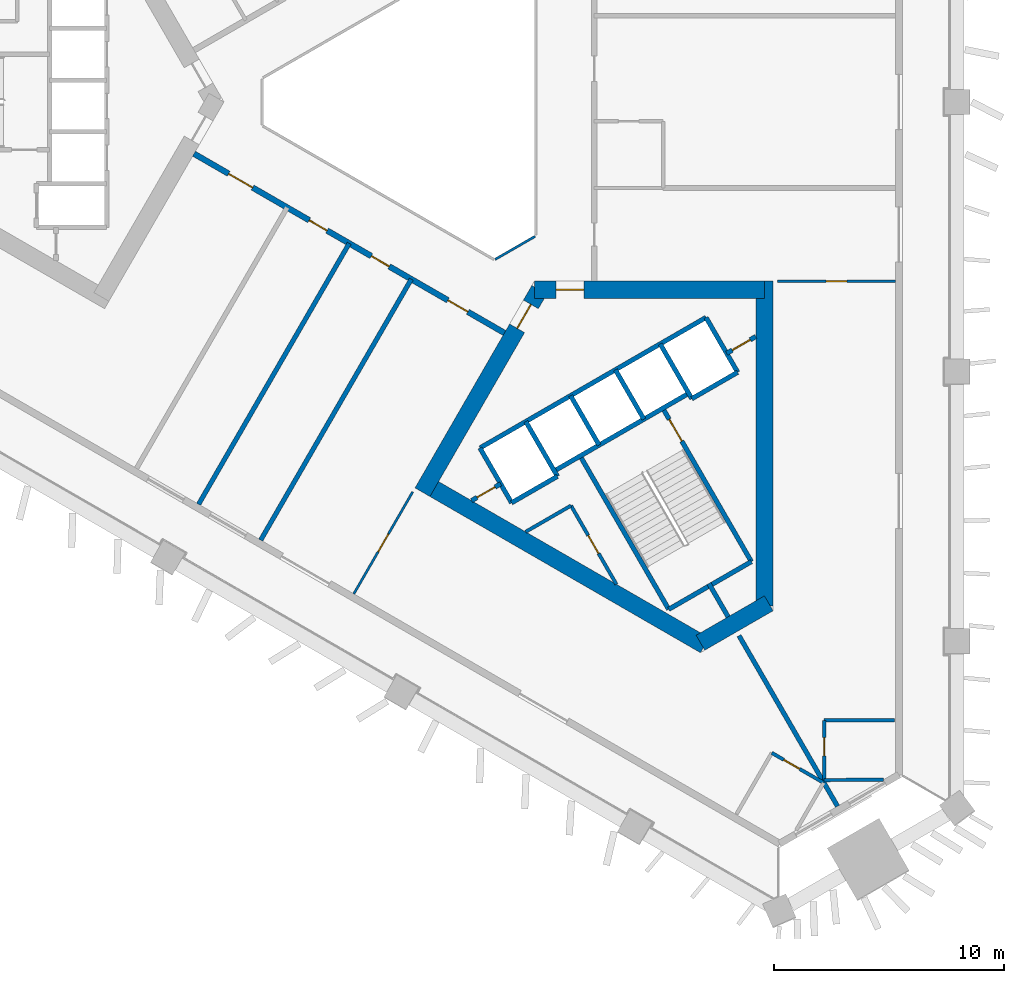
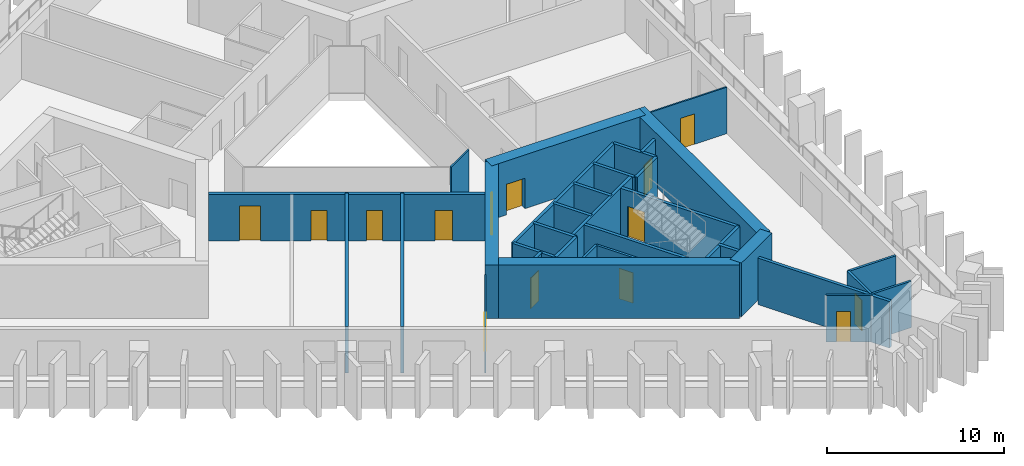
# One storey, part 3 of 10: 34 walls, 14 doors, 14 openings.
"""IFC4 building model written with IfcOpenShell, lengths in metres."""

from ifc_helpers import new_model, si_unit, direction, frame, frame_2d, origin, place, context, subcontext, project, spatial, rectangle, extrude, material, layer, layer_set, type_object, element, fill, save


model = new_model("IFC4")

# Units and contexts
model_context = context("Model", 3, precision=1e-05, world=origin(), true_north=direction((0.0, 1.0)))
body_context = subcontext(model_context, "Body", "Model", "MODEL_VIEW")
ifc_project = project(units=[si_unit("LENGTHUNIT", "METRE"), si_unit("AREAUNIT", "SQUARE_METRE"), si_unit("VOLUMEUNIT", "CUBIC_METRE"), si_unit("PLANEANGLEUNIT", "RADIAN"), si_unit("MASSUNIT", "GRAM", prefix="KILO")], contexts=[model_context])

# Site, building, storey
site_placement = place(None, origin())
site = spatial("IfcSite", under=ifc_project, at=site_placement, CompositionType="ELEMENT")
building_placement = place(site_placement, origin())
building = spatial("IfcBuilding", under=site, at=building_placement, Name="Jabali Bay Hotel Tower and Convention Centre", CompositionType="ELEMENT")
storey_placement = place(building_placement, frame((0.0, 0.0, 86.89990234375)))
storey = spatial("IfcBuildingStorey", under=building, at=storey_placement, Name="L20", CompositionType="ELEMENT", Elevation=86.89990234375)

# Walls
ifc_material_1 = material(Name="Fire-resistant glazing", Category="glass")
ifc_layer_1 = layer(ifc_material_1, 0.10009765625)
ifc_layer_set_1 = layer_set([ifc_layer_1], Name="Fire-resistant glazing")
wall_type_1 = type_object("IfcWallType", Name="Atrium glazed screen 100", PredefinedType="PARTITIONING", material=ifc_layer_set_1)
wall_1_placement = place(storey_placement, frame((77.7978515625, 73.15380859375, 0.0), z_axis=(0.0, 0.0, 1.0), x_axis=(0.866041268327, 0.499972520799, 0.0)))
element("IfcWall", 1, at=wall_1_placement, inside=storey, type_object=wall_type_1, Name="Atrium screen 6 L20", PredefinedType="PARTITIONING", context=body_context, shape_type="SweptSolid", body=[
    extrude(rectangle(XDim=2.0, YDim=0.10009765625, at=frame_2d((1.0, 0.0))), origin(), (0.0, 0.0, 1.0), 3.2001953125),
])
ifc_material_2 = material(Name="Concrete C40", Category="concrete")
ifc_layer_2 = layer(ifc_material_2, 0.199951171875)
ifc_layer_set_2 = layer_set([ifc_layer_2], Name="Concrete C40")
wall_type_2 = type_object("IfcWallType", Name="Core partition wall 200", PredefinedType="PARTITIONING", material=ifc_layer_set_2)
wall_2_placement = place(storey_placement, frame((87.090087890625, 59.0595703125, 0.0), z_axis=(0.0, 0.0, 1.0), x_axis=(0.499937194881, -0.866061661301, 0.0)))
element("IfcWall", 2, at=wall_2_placement, inside=storey, type_object=wall_type_2, Name="Core wall 2.5 L20", PredefinedType="PARTITIONING", context=body_context, shape_type="SweptSolid", body=[
    extrude(rectangle(XDim=1.673095703125, YDim=0.199951171875, at=frame_2d((0.83642578125, 0.0))), origin(), (0.0, 0.0, 1.0), 3.2001953125),
])

# Wall, opening, door
wall_3_placement = place(storey_placement, frame((76.77001953125, 62.662109375, 0.0), z_axis=(0.0, 0.0, 1.0), x_axis=(0.866054810376, 0.49994906283, 0.0)))
wall_3 = element("IfcWall", 3, at=wall_3_placement, inside=storey, type_object=wall_type_2, Name="Core wall 2.11 L20", PredefinedType="PARTITIONING", context=body_context, shape_type="SweptSolid", body=[
    extrude(rectangle(XDim=1.461181640625, YDim=0.199951171875, at=frame_2d((0.73046875, 0.0))), origin(), (0.0, 0.0, 1.0), 3.2001953125),
])
opening_1_placement = place(wall_3_placement, frame((0.280517578125, 0.0, 0.0)))
opening_1 = element("IfcOpeningElement", 4, at=opening_1_placement, cuts=wall_3, Name="Opening D489", PredefinedType="OPENING", context=body_context, shape_type="SweptSolid", body=[
    extrude(rectangle(XDim=0.89990234375, YDim=2.10009765625, at=frame_2d((0.449951171875, 1.050048828125))), frame((0.0, 0.1103515625, 0.0), z_axis=(0.0, -1.0, 0.0), x_axis=(1.0, 0.0, 0.0)), (0.0, 0.0, 1.0), 0.220947265625),
])
ifc_material_3 = material(Name="Fire-rated steel door", Category="steel")
door_type_1 = type_object("IfcDoorType", Name="Vestibule fire door 900 x 2100", OperationType="NOTDEFINED", PredefinedType="NOTDEFINED", material=ifc_material_3)
door_1_placement = place(opening_1_placement, origin())
door_1 = element("IfcDoor", 5, at=door_1_placement, inside=storey, type_object=door_type_1, Name="Vestibule fire door D489", OperationType="SINGLE_SWING_LEFT", OverallHeight=2.10009765625, OverallWidth=0.89990234375, PredefinedType="NOTDEFINED", context=body_context, shape_type="SweptSolid", body=[
    extrude(rectangle(XDim=0.89990234375, YDim=2.10009765625, at=frame_2d((0.449951171875, 1.050048828125))), frame((0.0, 0.02490234375, 0.0), z_axis=(0.0, -1.0, 0.0), x_axis=(1.0, 0.0, 0.0)), (0.0, 0.0, 1.0), 0.050048828125),
])
fill(opening_1, door_1)

wall_4_placement = place(storey_placement, frame((87.86474609375, 69.067626953125, 0.0), z_axis=(0.0, 0.0, 1.0), x_axis=(0.865982457891, 0.500074377092, 0.0)))
wall_4 = element("IfcWall", 6, at=wall_4_placement, inside=storey, type_object=wall_type_2, Name="Core wall 2.12 L20", PredefinedType="PARTITIONING", context=body_context, shape_type="SweptSolid", body=[
    extrude(rectangle(XDim=1.461181640625, YDim=0.199951171875, at=frame_2d((0.73046875, 0.0))), origin(), (0.0, 0.0, 1.0), 3.2001953125),
])
opening_2_placement = place(wall_4_placement, frame((0.280517578125, 0.0, 0.0)))
opening_2 = element("IfcOpeningElement", 7, at=opening_2_placement, cuts=wall_4, Name="Opening D488", PredefinedType="OPENING", context=body_context, shape_type="SweptSolid", body=[
    extrude(rectangle(XDim=0.89990234375, YDim=2.10009765625, at=frame_2d((0.449951171875, 1.050048828125))), frame((0.0, 0.1103515625, 0.0), z_axis=(0.0, -1.0, 0.0), x_axis=(1.0, 0.0, 0.0)), (0.0, 0.0, 1.0), 0.220947265625),
])
door_2_placement = place(opening_2_placement, origin())
door_2 = element("IfcDoor", 8, at=door_2_placement, inside=storey, type_object=door_type_1, Name="Vestibule fire door D488", OperationType="SINGLE_SWING_LEFT", OverallHeight=2.10009765625, OverallWidth=0.89990234375, PredefinedType="NOTDEFINED", context=body_context, shape_type="SweptSolid", body=[
    extrude(rectangle(XDim=0.89990234375, YDim=2.10009765625, at=frame_2d((0.449951171875, 1.050048828125))), frame((0.0, 0.02490234375, 0.0), z_axis=(0.0, -1.0, 0.0), x_axis=(1.0, 0.0, 0.0)), (0.0, 0.0, 1.0), 0.050048828125),
])
fill(opening_2, door_2)

ifc_material_4 = material(Name="Fire-rated board partition")
ifc_layer_3 = layer(ifc_material_4, 0.14990234375)
ifc_layer_set_3 = layer_set([ifc_layer_3], Name="Fire-rated board partition")
wall_type_3 = type_object("IfcWallType", Name="Core room partition 150", PredefinedType="PARTITIONING", material=ifc_layer_set_3)
wall_5_placement = place(storey_placement, frame((81.093994140625, 62.445068359375, 0.0), z_axis=(0.0, 0.0, 1.0), x_axis=(0.499990112884, -0.866031112038, 0.0)))
wall_5 = element("IfcWall", 9, at=wall_5_placement, inside=storey, type_object=wall_type_3, Name="Core wall 2.1 L20", PredefinedType="PARTITIONING", context=body_context, shape_type="SweptSolid", body=[
    extrude(rectangle(XDim=3.94775390625, YDim=0.14990234375, at=frame_2d((1.973876953125, 0.0))), origin(), (0.0, 0.0, 1.0), 3.2001953125),
])
opening_3_placement = place(wall_5_placement, frame((1.496337890625, 0.0, 0.0)))
opening_3 = element("IfcOpeningElement", 10, at=opening_3_placement, cuts=wall_5, Name="Opening D491", PredefinedType="OPENING", context=body_context, shape_type="SweptSolid", body=[
    extrude(rectangle(XDim=0.89990234375, YDim=2.10009765625, at=frame_2d((0.449951171875, 1.050048828125))), frame((0.0, 0.08544921875, 0.0), z_axis=(0.0, -1.0, 0.0), x_axis=(1.0, 0.0, 0.0)), (0.0, 0.0, 1.0), 0.1708984375),
])
door_type_2 = type_object("IfcDoorType", Name="Core room door 900 x 2100", OperationType="NOTDEFINED", PredefinedType="NOTDEFINED", material=ifc_material_3)
door_3_placement = place(opening_3_placement, origin())
door_3 = element("IfcDoor", 11, at=door_3_placement, inside=storey, type_object=door_type_2, Name="Core room door D491", OperationType="SINGLE_SWING_LEFT", OverallHeight=2.10009765625, OverallWidth=0.89990234375, PredefinedType="NOTDEFINED", context=body_context, shape_type="SweptSolid", body=[
    extrude(rectangle(XDim=0.89990234375, YDim=2.10009765625, at=frame_2d((0.449951171875, 1.050048828125))), frame((0.0, 0.02490234375, 0.0), z_axis=(0.0, -1.0, 0.0), x_axis=(1.0, 0.0, 0.0)), (0.0, 0.0, 1.0), 0.050048828125),
])
fill(opening_3, door_3)

# Walls
wall_6_placement = place(storey_placement, frame((79.119873046875, 61.305419921875, 0.0), z_axis=(0.0, 0.0, 1.0), x_axis=(0.866046471269, 0.499963508271, 0.0)))
element("IfcWall", 12, at=wall_6_placement, inside=storey, type_object=wall_type_3, Name="Core wall 2.16 L20", PredefinedType="PARTITIONING", context=body_context, shape_type="SweptSolid", body=[
    extrude(rectangle(XDim=2.279541015625, YDim=0.14990234375, at=frame_2d((1.1396484375, 0.0))), origin(), (0.0, 0.0, 1.0), 3.2001953125),
])
ifc_layer_4 = layer(ifc_material_2, 0.199951171875)
ifc_layer_set_4 = layer_set([ifc_layer_4], Name="Concrete C40")
wall_type_4 = type_object("IfcWallType", Name="Core stair wall 200", PredefinedType="SOLIDWALL", material=ifc_layer_set_4)
for number, where, z_axis, x_axis, name in (
    (13, (77.13525390625, 64.95166015625, 0.0), (0.0, 0.0, 1.0), (0.499996545922, -0.866027397988, 0.0), "Core wall 2.0 L20"),
    (14, (79.127197265625, 66.1015625, 0.0), (0.0, 0.0, 1.0), (0.499996545922, -0.866027397988, 0.0), "Core wall 2.2 L20"),
):
    element("IfcWall", number, at=place(storey_placement, frame(where, z_axis=z_axis, x_axis=x_axis)), inside=storey, type_object=wall_type_4, Name=name, PredefinedType="SOLIDWALL", context=body_context, shape_type="SweptSolid", body=[
        extrude(rectangle(XDim=2.75, YDim=0.199951171875, at=frame_2d((1.375, 0.0))), origin(), (0.0, 0.0, 1.0), 3.2001953125),
    ])
wall_7_placement = place(storey_placement, frame((81.492919921875, 64.603759765625, 0.0), z_axis=(0.0, 0.0, 1.0), x_axis=(0.500006057782, -0.866021906294, 0.0)))
element("IfcWall", 15, at=wall_7_placement, inside=storey, type_object=wall_type_4, Name="Core wall 2.3 L20", PredefinedType="SOLIDWALL", context=body_context, shape_type="SweptSolid", body=[
    extrude(rectangle(XDim=7.7001953125, YDim=0.199951171875, at=frame_2d((3.85009765625, 0.0))), origin(), (0.0, 0.0, 1.0), 3.2001953125),
])
for number, where, z_axis, x_axis, name in (
    (16, (81.07568359375, 67.2265625, 0.0), (0.0, 0.0, 1.0), (0.50000366821, -0.866023285932, 0.0), "Core wall 2.4 L20"),
    (17, (83.024169921875, 68.3515625, 0.0), (0.0, 0.0, 1.0), (0.50000366821, -0.866023285932, 0.0), "Core wall 2.6 L20"),
):
    element("IfcWall", number, at=place(storey_placement, frame(where, z_axis=z_axis, x_axis=x_axis)), inside=storey, type_object=wall_type_4, Name=name, PredefinedType="SOLIDWALL", context=body_context, shape_type="SweptSolid", body=[
        extrude(rectangle(XDim=2.47998046875, YDim=0.199951171875, at=frame_2d((1.239990234375, 0.0))), origin(), (0.0, 0.0, 1.0), 3.2001953125),
    ])

# Wall, opening, door
wall_8_placement = place(storey_placement, frame((85.0869140625, 66.6787109375, 0.0), z_axis=(0.0, 0.0, 1.0), x_axis=(0.500019787375, -0.866013979237, 0.0)))
wall_8 = element("IfcWall", 18, at=wall_8_placement, inside=storey, type_object=wall_type_4, Name="Core wall 2.7 L20", PredefinedType="SOLIDWALL", context=body_context, shape_type="SweptSolid", body=[
    extrude(rectangle(XDim=7.699951171875, YDim=0.199951171875, at=frame_2d((3.85009765625, 0.0))), origin(), (0.0, 0.0, 1.0), 3.2001953125),
])
opening_4_placement = place(wall_8_placement, frame((0.550048828125, 0.0, 0.0)))
opening_4 = element("IfcOpeningElement", 19, at=opening_4_placement, cuts=wall_8, Name="Opening D490", PredefinedType="OPENING", context=body_context, shape_type="SweptSolid", body=[
    extrude(rectangle(XDim=1.10009765625, YDim=2.10009765625, at=frame_2d((0.550048828125, 1.050048828125))), frame((0.0, 0.1103515625, 0.0), z_axis=(0.0, -1.0, 0.0), x_axis=(1.0, 0.0, 0.0)), (0.0, 0.0, 1.0), 0.220947265625),
])
door_type_3 = type_object("IfcDoorType", Name="Stair fire door 1100 x 2100", OperationType="NOTDEFINED", PredefinedType="NOTDEFINED", material=ifc_material_3)
door_4_placement = place(opening_4_placement, origin())
door_4 = element("IfcDoor", 20, at=door_4_placement, inside=storey, type_object=door_type_3, Name="Stair fire door D490", OperationType="SINGLE_SWING_RIGHT", OverallHeight=2.10009765625, OverallWidth=1.10009765625, PredefinedType="NOTDEFINED", context=body_context, shape_type="SweptSolid", body=[
    extrude(rectangle(XDim=1.10009765625, YDim=2.10009765625, at=frame_2d((0.550048828125, 1.050048828125))), frame((0.0, 0.02490234375, 0.0), z_axis=(0.0, -1.0, 0.0), x_axis=(1.0, 0.0, 0.0)), (0.0, 0.0, 1.0), 0.050048828125),
])
fill(opening_4, door_4)

# Walls
for number, where, z_axis, x_axis, name in (
    (21, (84.972900390625, 69.4765625, 0.0), (0.0, 0.0, 1.0), (0.499996545922, -0.866027397988, 0.0), "Core wall 2.8 L20"),
    (22, (86.964599609375, 70.62646484375, 0.0), (0.0, 0.0, 1.0), (0.499996545922, -0.866027397988, 0.0), "Core wall 2.9 L20"),
):
    element("IfcWall", number, at=place(storey_placement, frame(where, z_axis=z_axis, x_axis=x_axis)), inside=storey, type_object=wall_type_4, Name=name, PredefinedType="SOLIDWALL", context=body_context, shape_type="SweptSolid", body=[
        extrude(rectangle(XDim=2.75, YDim=0.199951171875, at=frame_2d((1.375, 0.0))), origin(), (0.0, 0.0, 1.0), 3.2001953125),
    ])
wall_9_placement = place(storey_placement, frame((77.13525390625, 64.95166015625, 0.0), z_axis=(0.0, 0.0, 1.0), x_axis=(0.866031916153, 0.499988720078, 0.0)))
element("IfcWall", 23, at=wall_9_placement, inside=storey, type_object=wall_type_4, Name="Core wall 2.10 L20", PredefinedType="SOLIDWALL", context=body_context, shape_type="SweptSolid", body=[
    extrude(rectangle(XDim=11.349853515625, YDim=0.199951171875, at=frame_2d((5.6748046875, 0.0))), origin(), (0.0, 0.0, 1.0), 3.2001953125),
])
wall_10_placement = place(storey_placement, frame((80.3671875, 63.953857421875, 0.0), z_axis=(0.0, 0.0, 1.0), x_axis=(0.866026575979, 0.499997969693, 0.0)))
element("IfcWall", 24, at=wall_10_placement, inside=storey, type_object=wall_type_4, Name="Core wall 2.13 L20", PredefinedType="SOLIDWALL", context=body_context, shape_type="SweptSolid", body=[
    extrude(rectangle(XDim=6.75, YDim=0.199951171875, at=frame_2d((3.375, 0.0))), origin(), (0.0, 0.0, 1.0), 3.2001953125),
])
wall_11_placement = place(storey_placement, frame((78.51025390625, 62.570068359375, 0.0), z_axis=(0.0, 0.0, 1.0), x_axis=(0.866053019151, 0.499952165731, 0.0)))
element("IfcWall", 25, at=wall_11_placement, inside=storey, type_object=wall_type_4, Name="Core wall 2.14 L20", PredefinedType="SOLIDWALL", context=body_context, shape_type="SweptSolid", body=[
    extrude(rectangle(XDim=2.300048828125, YDim=0.199951171875, at=frame_2d((1.14990234375, 0.0))), origin(), (0.0, 0.0, 1.0), 3.2001953125),
])
wall_12_placement = place(storey_placement, frame((86.347900390625, 67.094970703125, 0.0), z_axis=(0.0, 0.0, 1.0), x_axis=(0.86602648383, 0.499998129301, 0.0)))
element("IfcWall", 26, at=wall_12_placement, inside=storey, type_object=wall_type_4, Name="Core wall 2.15 L20", PredefinedType="SOLIDWALL", context=body_context, shape_type="SweptSolid", body=[
    extrude(rectangle(XDim=2.2998046875, YDim=0.199951171875, at=frame_2d((1.14990234375, 0.0))), origin(), (0.0, 0.0, 1.0), 3.2001953125),
])
wall_13_placement = place(storey_placement, frame((85.343017578125, 57.935302734375, 0.0), z_axis=(0.0, 0.0, 1.0), x_axis=(0.866004344652, 0.500036473714, 0.0)))
element("IfcWall", 27, at=wall_13_placement, inside=storey, type_object=wall_type_4, Name="Core wall 2.17 L20", PredefinedType="SOLIDWALL", context=body_context, shape_type="SweptSolid", body=[
    extrude(rectangle(XDim=4.150146484375, YDim=0.199951171875, at=frame_2d((2.0751953125, 0.0))), origin(), (0.0, 0.0, 1.0), 3.2001953125),
])

# Wall, opening, door
ifc_material_5 = material(Name="Concrete C60", Category="concrete")
ifc_layer_5 = layer(ifc_material_5, 0.75)
ifc_layer_set_5 = layer_set([ifc_layer_5], Name="Concrete C60")
wall_type_5 = type_object("IfcWallType", Name="Core wall 750", PredefinedType="SHEAR", material=ifc_layer_set_5)
wall_14_placement = place(storey_placement, frame((79.716552734375, 71.830810546875, 0.0), z_axis=(0.0, 0.0, 1.0), x_axis=(-0.499996230114, -0.866027580318, 0.0)))
wall_14 = element("IfcWall", 28, at=wall_14_placement, inside=storey, type_object=wall_type_5, Name="Core wall 3.1 L20", PredefinedType="SHEAR", context=body_context, shape_type="SweptSolid", body=[
    extrude(rectangle(XDim=10.16357421875, YDim=0.75, at=frame_2d((5.081787109375, 0.0))), origin(), (0.0, 0.0, 1.0), 3.7001953125),
])
opening_5_placement = place(wall_14_placement, frame((0.7333984375, 0.0, 0.0)))
opening_5 = element("IfcOpeningElement", 29, at=opening_5_placement, cuts=wall_14, Name="Opening D486", PredefinedType="OPENING", context=body_context, shape_type="SweptSolid", body=[
    extrude(rectangle(XDim=1.199951171875, YDim=2.10009765625, at=frame_2d((0.60009765625, 1.050048828125))), frame((0.0, 0.385498046875, 0.0), z_axis=(0.0, -1.0, 0.0), x_axis=(1.0, 0.0, 0.0)), (0.0, 0.0, 1.0), 0.77099609375),
])
door_type_4 = type_object("IfcDoorType", Name="Corridor end fire door 1200 x 2100", OperationType="NOTDEFINED", PredefinedType="NOTDEFINED", material=ifc_material_3)
door_5_placement = place(opening_5_placement, origin())
door_5 = element("IfcDoor", 30, at=door_5_placement, inside=storey, type_object=door_type_4, Name="Corridor end fire door D486", OperationType="SINGLE_SWING_RIGHT", OverallHeight=2.10009765625, OverallWidth=1.199951171875, PredefinedType="NOTDEFINED", context=body_context, shape_type="SweptSolid", body=[
    extrude(rectangle(XDim=1.199951171875, YDim=2.10009765625, at=frame_2d((0.60009765625, 1.050048828125))), frame((0.0, 0.02490234375, 0.0), z_axis=(0.0, -1.0, 0.0), x_axis=(1.0, 0.0, 0.0)), (0.0, 0.0, 1.0), 0.050048828125),
])
fill(opening_5, door_5)

# Walls
wall_15_placement = place(storey_placement, frame((74.822265625, 63.353759765625, 0.0), z_axis=(0.0, 0.0, 1.0), x_axis=(0.8660248072, -0.500001033313, 0.0)))
element("IfcWall", 31, at=wall_15_placement, inside=storey, type_object=wall_type_5, Name="Core wall 3.2 L20", PredefinedType="SHEAR", context=body_context, shape_type="SweptSolid", body=[
    extrude(rectangle(XDim=13.95849609375, YDim=0.75, at=frame_2d((6.979248046875, 0.0))), origin(), (0.0, 0.0, 1.0), 3.7001953125),
])
wall_16_placement = place(storey_placement, frame((86.72314453125, 56.482666015625, 0.0), z_axis=(0.0, 0.0, 1.0), x_axis=(0.866017201164, 0.500014207086, 0.0)))
element("IfcWall", 32, at=wall_16_placement, inside=storey, type_object=wall_type_5, Name="Core wall 3.3 L20", PredefinedType="SHEAR", context=body_context, shape_type="SweptSolid", body=[
    extrude(rectangle(XDim=3.4287109375, YDim=0.75, at=frame_2d((1.71435546875, 0.0))), origin(), (0.0, 0.0, 1.0), 3.7001953125),
])
wall_17_placement = place(storey_placement, frame((89.5048828125, 58.0888671875, 0.0), z_axis=(0.0, 0.0, 1.0), x_axis=(0.0, 1.0, 0.0)))
element("IfcWall", 33, at=wall_17_placement, inside=storey, type_object=wall_type_5, Name="Core wall 3.4 L20", PredefinedType="SHEAR", context=body_context, shape_type="SweptSolid", body=[
    extrude(rectangle(XDim=14.116943359375, YDim=0.75, at=frame_2d((7.05859375, 0.0))), origin(), (0.0, 0.0, 1.0), 3.7001953125),
])

# Wall, opening, door
wall_18_placement = place(storey_placement, frame((89.5048828125, 71.830810546875, 0.0), z_axis=(0.0, 0.0, 1.0), x_axis=(-1.0, 0.0, 0.0)))
wall_18 = element("IfcWall", 34, at=wall_18_placement, inside=storey, type_object=wall_type_5, Name="Core wall 3.5 L20", PredefinedType="SHEAR", context=body_context, shape_type="SweptSolid", body=[
    extrude(rectangle(XDim=10.0048828125, YDim=0.75, at=frame_2d((5.00244140625, 0.0))), origin(), (0.0, 0.0, 1.0), 3.7001953125),
])
opening_6_placement = place(wall_18_placement, frame((7.85498046875, 0.0, 0.0)))
opening_6 = element("IfcOpeningElement", 35, at=opening_6_placement, cuts=wall_18, Name="Opening D487", PredefinedType="OPENING", context=body_context, shape_type="SweptSolid", body=[
    extrude(rectangle(XDim=1.199951171875, YDim=2.10009765625, at=frame_2d((0.60009765625, 1.050048828125))), frame((0.0, 0.385498046875, 0.0), z_axis=(0.0, -1.0, 0.0), x_axis=(1.0, 0.0, 0.0)), (0.0, 0.0, 1.0), 0.77099609375),
])
door_6_placement = place(opening_6_placement, origin())
door_6 = element("IfcDoor", 36, at=door_6_placement, inside=storey, type_object=door_type_4, Name="Corridor end fire door D487", OperationType="SINGLE_SWING_LEFT", OverallHeight=2.10009765625, OverallWidth=1.199951171875, PredefinedType="NOTDEFINED", context=body_context, shape_type="SweptSolid", body=[
    extrude(rectangle(XDim=1.199951171875, YDim=2.10009765625, at=frame_2d((0.60009765625, 1.050048828125))), frame((0.0, 0.02490234375, 0.0), z_axis=(0.0, -1.0, 0.0), x_axis=(1.0, 0.0, 0.0)), (0.0, 0.0, 1.0), 0.050048828125),
])
fill(opening_6, door_6)

# Wall, openings, doors
ifc_layer_6 = layer(ifc_material_5, 0.25)
ifc_layer_set_6 = layer_set([ifc_layer_6], Name="Concrete C60")
wall_type_6 = type_object("IfcWallType", Name="Corridor wall 250", PredefinedType="SHEAR", material=ifc_layer_set_6)
wall_19_placement = place(storey_placement, frame((64.699951171875, 77.748291015625, 0.0), z_axis=(0.0, 0.0, 1.0), x_axis=(0.866026492143, -0.499998114903, 0.0)))
wall_19 = element("IfcWall", 37, at=wall_19_placement, inside=storey, type_object=wall_type_6, Name="Corridor wall 3 L20", PredefinedType="SHEAR", context=body_context, shape_type="SweptSolid", body=[
    extrude(rectangle(XDim=15.58837890625, YDim=0.25, at=frame_2d((7.794189453125, 0.0))), origin(), (0.0, 0.0, 1.0), 3.2001953125),
])
opening_7_placement = place(wall_19_placement, frame((1.73828125, 0.0, 0.0)))
opening_7 = element("IfcOpeningElement", 38, at=opening_7_placement, cuts=wall_19, Name="Opening 2016", PredefinedType="OPENING", context=body_context, shape_type="SweptSolid", body=[
    extrude(rectangle(XDim=1.199951171875, YDim=2.39990234375, at=frame_2d((0.60009765625, 1.199951171875))), frame((0.0, 0.135498046875, 0.0), z_axis=(0.0, -1.0, 0.0), x_axis=(1.0, 0.0, 0.0)), (0.0, 0.0, 1.0), 0.27099609375),
])
opening_8_placement = place(wall_19_placement, frame((5.785400390625, 0.0, 0.0)))
opening_8 = element("IfcOpeningElement", 39, at=opening_8_placement, cuts=wall_19, Name="Opening 2017", PredefinedType="OPENING", context=body_context, shape_type="SweptSolid", body=[
    extrude(rectangle(XDim=0.89990234375, YDim=2.10009765625, at=frame_2d((0.449951171875, 1.050048828125))), frame((0.0, 0.135498046875, 0.0), z_axis=(0.0, -1.0, 0.0), x_axis=(1.0, 0.0, 0.0)), (0.0, 0.0, 1.0), 0.27099609375),
])
opening_9_placement = place(wall_19_placement, frame((8.903076171875, 0.0, 0.0)))
opening_9 = element("IfcOpeningElement", 40, at=opening_9_placement, cuts=wall_19, Name="Opening 2018", PredefinedType="OPENING", context=body_context, shape_type="SweptSolid", body=[
    extrude(rectangle(XDim=0.89990234375, YDim=2.10009765625, at=frame_2d((0.449951171875, 1.050048828125))), frame((0.0, 0.135498046875, 0.0), z_axis=(0.0, -1.0, 0.0), x_axis=(1.0, 0.0, 0.0)), (0.0, 0.0, 1.0), 0.27099609375),
])
opening_10_placement = place(wall_19_placement, frame((12.750244140625, 0.0, 0.0)))
opening_10 = element("IfcOpeningElement", 41, at=opening_10_placement, cuts=wall_19, Name="Opening 2019", PredefinedType="OPENING", context=body_context, shape_type="SweptSolid", body=[
    extrude(rectangle(XDim=1.0, YDim=2.10009765625, at=frame_2d((0.5, 1.050048828125))), frame((0.0, 0.135498046875, 0.0), z_axis=(0.0, -1.0, 0.0), x_axis=(1.0, 0.0, 0.0)), (0.0, 0.0, 1.0), 0.27099609375),
])
ifc_material_6 = material(Name="Timber", Category="wood")
door_type_5 = type_object("IfcDoorType", Name="Guest room door 1000 x 2100", OperationType="NOTDEFINED", PredefinedType="NOTDEFINED", material=ifc_material_6)
door_7_placement = place(opening_10_placement, origin())
door_7 = element("IfcDoor", 42, at=door_7_placement, inside=storey, type_object=door_type_5, Name="Door 2019", OperationType="SINGLE_SWING_RIGHT", OverallHeight=2.10009765625, OverallWidth=1.0, PredefinedType="NOTDEFINED", context=body_context, shape_type="SweptSolid", body=[
    extrude(rectangle(XDim=1.0, YDim=2.10009765625, at=frame_2d((0.5, 1.050048828125))), frame((0.0, 0.02490234375, 0.0), z_axis=(0.0, -1.0, 0.0), x_axis=(1.0, 0.0, 0.0)), (0.0, 0.0, 1.0), 0.050048828125),
])
fill(opening_10, door_7)
door_type_6 = type_object("IfcDoorType", Name="Internal door 900 x 2100", OperationType="NOTDEFINED", PredefinedType="NOTDEFINED", material=ifc_material_6)
door_8_placement = place(opening_8_placement, origin())
door_8 = element("IfcDoor", 43, at=door_8_placement, inside=storey, type_object=door_type_6, Name="Door 2017", OperationType="SINGLE_SWING_LEFT", OverallHeight=2.10009765625, OverallWidth=0.89990234375, PredefinedType="NOTDEFINED", context=body_context, shape_type="SweptSolid", body=[
    extrude(rectangle(XDim=0.89990234375, YDim=2.10009765625, at=frame_2d((0.449951171875, 1.050048828125))), frame((0.0, 0.02490234375, 0.0), z_axis=(0.0, -1.0, 0.0), x_axis=(1.0, 0.0, 0.0)), (0.0, 0.0, 1.0), 0.050048828125),
])
fill(opening_8, door_8)
door_9_placement = place(opening_9_placement, origin())
door_9 = element("IfcDoor", 44, at=door_9_placement, inside=storey, type_object=door_type_6, Name="Door 2018", OperationType="SINGLE_SWING_RIGHT", OverallHeight=2.10009765625, OverallWidth=0.89990234375, PredefinedType="NOTDEFINED", context=body_context, shape_type="SweptSolid", body=[
    extrude(rectangle(XDim=0.89990234375, YDim=2.10009765625, at=frame_2d((0.449951171875, 1.050048828125))), frame((0.0, 0.02490234375, 0.0), z_axis=(0.0, -1.0, 0.0), x_axis=(1.0, 0.0, 0.0)), (0.0, 0.0, 1.0), 0.050048828125),
])
fill(opening_9, door_9)
door_type_7 = type_object("IfcDoorType", Name="Public room door 1200 x 2400", OperationType="NOTDEFINED", PredefinedType="NOTDEFINED", material=ifc_material_6)
door_10_placement = place(opening_7_placement, origin())
door_10 = element("IfcDoor", 45, at=door_10_placement, inside=storey, type_object=door_type_7, Name="Door 2016", OperationType="SINGLE_SWING_LEFT", OverallHeight=2.39990234375, OverallWidth=1.199951171875, PredefinedType="NOTDEFINED", context=body_context, shape_type="SweptSolid", body=[
    extrude(rectangle(XDim=1.199951171875, YDim=2.39990234375, at=frame_2d((0.60009765625, 1.199951171875))), frame((0.0, 0.02490234375, 0.0), z_axis=(0.0, -1.0, 0.0), x_axis=(1.0, 0.0, 0.0)), (0.0, 0.0, 1.0), 0.050048828125),
])
fill(opening_7, door_10)

# Wall, opening, door
ifc_material_7 = material(Name="Plasterboard on steel stud", Category="steel")
ifc_layer_7 = layer(ifc_material_7, 0.10009765625)
ifc_layer_set_7 = layer_set([ifc_layer_7], Name="Plasterboard on steel stud")
wall_type_7 = type_object("IfcWallType", Name="Partition 100 unit", PredefinedType="PARTITIONING", material=ifc_layer_set_7)
wall_20_placement = place(storey_placement, frame((90.0791015625, 72.205810546875, 0.0), z_axis=(0.0, 0.0, 1.0), x_axis=(1.0, 0.0, 0.0)))
wall_20 = element("IfcWall", 46, at=wall_20_placement, inside=storey, type_object=wall_type_7, Name="Partition P02 L20 001", PredefinedType="PARTITIONING", context=body_context, shape_type="SweptSolid", body=[
    extrude(rectangle(XDim=5.123046875, YDim=0.10009765625, at=frame_2d((2.5615234375, 0.0))), origin(), (0.0, 0.0, 1.0), 3.2001953125),
])
opening_11_placement = place(wall_20_placement, frame((2.112060546875, 0.0, 0.0)))
opening_11 = element("IfcOpeningElement", 47, at=opening_11_placement, cuts=wall_20, Name="Opening 2002", PredefinedType="OPENING", context=body_context, shape_type="SweptSolid", body=[
    extrude(rectangle(XDim=0.89990234375, YDim=2.10009765625, at=frame_2d((0.449951171875, 1.050048828125))), frame((0.0, 0.060546875, 0.0), z_axis=(0.0, -1.0, 0.0), x_axis=(1.0, 0.0, 0.0)), (0.0, 0.0, 1.0), 0.12109375),
])
door_11_placement = place(opening_11_placement, origin())
door_11 = element("IfcDoor", 48, at=door_11_placement, inside=storey, type_object=door_type_6, Name="Door 2002", OperationType="SINGLE_SWING_RIGHT", OverallHeight=2.10009765625, OverallWidth=0.89990234375, PredefinedType="NOTDEFINED", context=body_context, shape_type="SweptSolid", body=[
    extrude(rectangle(XDim=0.89990234375, YDim=2.10009765625, at=frame_2d((0.449951171875, 1.050048828125))), frame((0.0, 0.02490234375, 0.0), z_axis=(0.0, -1.0, 0.0), x_axis=(1.0, 0.0, 0.0)), (0.0, 0.0, 1.0), 0.050048828125),
])
fill(opening_11, door_11)

wall_21_placement = place(storey_placement, frame((71.64892578125, 58.607177734375, 0.0), z_axis=(0.0, 0.0, 1.0), x_axis=(0.499972702148, 0.866041163633, 0.0)))
wall_21 = element("IfcWall", 49, at=wall_21_placement, inside=storey, type_object=wall_type_7, Name="Partition P02 L20 030", PredefinedType="PARTITIONING", context=body_context, shape_type="SweptSolid", body=[
    extrude(rectangle(XDim=5.123291015625, YDim=0.10009765625, at=frame_2d((2.5615234375, 0.0))), origin(), (0.0, 0.0, 1.0), 3.2001953125),
])
opening_12_placement = place(wall_21_placement, frame((2.112060546875, 0.0, 0.0)))
opening_12 = element("IfcOpeningElement", 50, at=opening_12_placement, cuts=wall_21, Name="Opening 2020", PredefinedType="OPENING", context=body_context, shape_type="SweptSolid", body=[
    extrude(rectangle(XDim=0.89990234375, YDim=2.10009765625, at=frame_2d((0.449951171875, 1.050048828125))), frame((0.0, 0.060546875, 0.0), z_axis=(0.0, -1.0, 0.0), x_axis=(1.0, 0.0, 0.0)), (0.0, 0.0, 1.0), 0.12109375),
])
door_12_placement = place(opening_12_placement, origin())
door_12 = element("IfcDoor", 51, at=door_12_placement, inside=storey, type_object=door_type_6, Name="Door 2020", OperationType="SINGLE_SWING_RIGHT", OverallHeight=2.10009765625, OverallWidth=0.89990234375, PredefinedType="NOTDEFINED", context=body_context, shape_type="SweptSolid", body=[
    extrude(rectangle(XDim=0.89990234375, YDim=2.10009765625, at=frame_2d((0.449951171875, 1.050048828125))), frame((0.0, 0.02490234375, 0.0), z_axis=(0.0, -1.0, 0.0), x_axis=(1.0, 0.0, 0.0)), (0.0, 0.0, 1.0), 0.050048828125),
])
fill(opening_12, door_12)

# Wall
ifc_layer_8 = layer(ifc_material_7, 0.14990234375)
ifc_layer_set_8 = layer_set([ifc_layer_8], Name="Plasterboard on steel stud")
wall_type_8 = type_object("IfcWallType", Name="Partition 150 wet", PredefinedType="PARTITIONING", material=ifc_layer_set_8)
wall_22_placement = place(storey_placement, frame((94.67529296875, 50.520751953125, 0.0), z_axis=(0.0, 0.0, 1.0), x_axis=(-0.99999416924, -0.00341489187, 0.0)))
element("IfcWall", 52, at=wall_22_placement, inside=storey, type_object=wall_type_8, Name="Partition P03 L20 004", PredefinedType="PARTITIONING", context=body_context, shape_type="SweptSolid", body=[
    extrude(rectangle(XDim=2.57373046875, YDim=0.14990234375, at=frame_2d((1.286865234375, 0.0))), origin(), (0.0, 0.0, 1.0), 3.2001953125),
])

# Wall, opening, door
wall_23_placement = place(storey_placement, frame((92.1015625, 50.511962890625, 0.0), z_axis=(0.0, 0.0, 1.0), x_axis=(0.0, 1.0, 0.0)))
wall_23 = element("IfcWall", 53, at=wall_23_placement, inside=storey, type_object=wall_type_8, Name="Partition P03 L20 005", PredefinedType="PARTITIONING", context=body_context, shape_type="SweptSolid", body=[
    extrude(rectangle(XDim=2.60009765625, YDim=0.14990234375, at=frame_2d((1.300048828125, 0.0))), origin(), (0.0, 0.0, 1.0), 3.2001953125),
])
opening_13_placement = place(wall_23_placement, frame((1.050048828125, 0.0, 0.0)))
opening_13 = element("IfcOpeningElement", 54, at=opening_13_placement, cuts=wall_23, Name="Opening 2003", PredefinedType="OPENING", context=body_context, shape_type="SweptSolid", body=[
    extrude(rectangle(XDim=0.800048828125, YDim=2.10009765625, at=frame_2d((0.39990234375, 1.050048828125))), frame((0.0, 0.08544921875, 0.0), z_axis=(0.0, -1.0, 0.0), x_axis=(1.0, 0.0, 0.0)), (0.0, 0.0, 1.0), 0.1708984375),
])
door_type_8 = type_object("IfcDoorType", Name="En-suite door 800 x 2100", OperationType="NOTDEFINED", PredefinedType="NOTDEFINED", material=ifc_material_6)
door_13_placement = place(opening_13_placement, origin())
door_13 = element("IfcDoor", 55, at=door_13_placement, inside=storey, type_object=door_type_8, Name="Door 2003", OperationType="SINGLE_SWING_RIGHT", OverallHeight=2.10009765625, OverallWidth=0.800048828125, PredefinedType="NOTDEFINED", context=body_context, shape_type="SweptSolid", body=[
    extrude(rectangle(XDim=0.800048828125, YDim=2.10009765625, at=frame_2d((0.39990234375, 1.050048828125))), frame((0.0, 0.02490234375, 0.0), z_axis=(0.0, -1.0, 0.0), x_axis=(1.0, 0.0, 0.0)), (0.0, 0.0, 1.0), 0.050048828125),
])
fill(opening_13, door_13)

# Wall
wall_24_placement = place(storey_placement, frame((92.1015625, 53.112060546875, 0.0), z_axis=(0.0, 0.0, 1.0), x_axis=(1.0, 0.0, 0.0)))
element("IfcWall", 56, at=wall_24_placement, inside=storey, type_object=wall_type_8, Name="Partition P03 L20 006", PredefinedType="PARTITIONING", context=body_context, shape_type="SweptSolid", body=[
    extrude(rectangle(XDim=3.0595703125, YDim=0.14990234375, at=frame_2d((1.52978515625, 0.0))), origin(), (0.0, 0.0, 1.0), 3.2001953125),
])

# Wall, opening, door
wall_25_placement = place(storey_placement, frame((89.826904296875, 51.692626953125, 0.0), z_axis=(0.0, 0.0, 1.0), x_axis=(0.866021400173, -0.500006934395, 0.0)))
wall_25 = element("IfcWall", 57, at=wall_25_placement, inside=storey, type_object=wall_type_8, Name="Partition P03 L20 032", PredefinedType="PARTITIONING", context=body_context, shape_type="SweptSolid", body=[
    extrude(rectangle(XDim=2.60009765625, YDim=0.14990234375, at=frame_2d((1.300048828125, 0.0))), origin(), (0.0, 0.0, 1.0), 3.2001953125),
])
opening_14_placement = place(wall_25_placement, frame((0.60009765625, 0.0, 0.0)))
opening_14 = element("IfcOpeningElement", 58, at=opening_14_placement, cuts=wall_25, Name="Opening 2021", PredefinedType="OPENING", context=body_context, shape_type="SweptSolid", body=[
    extrude(rectangle(XDim=0.800048828125, YDim=2.10009765625, at=frame_2d((0.39990234375, 1.050048828125))), frame((0.0, 0.08544921875, 0.0), z_axis=(0.0, -1.0, 0.0), x_axis=(1.0, 0.0, 0.0)), (0.0, 0.0, 1.0), 0.1708984375),
])
door_14_placement = place(opening_14_placement, origin())
door_14 = element("IfcDoor", 59, at=door_14_placement, inside=storey, type_object=door_type_8, Name="Door 2021", OperationType="SINGLE_SWING_LEFT", OverallHeight=2.10009765625, OverallWidth=0.800048828125, PredefinedType="NOTDEFINED", context=body_context, shape_type="SweptSolid", body=[
    extrude(rectangle(XDim=0.800048828125, YDim=2.10009765625, at=frame_2d((0.39990234375, 1.050048828125))), frame((0.0, 0.02490234375, 0.0), z_axis=(0.0, -1.0, 0.0), x_axis=(1.0, 0.0, 0.0)), (0.0, 0.0, 1.0), 0.050048828125),
])
fill(opening_14, door_14)

# Walls
ifc_layer_9 = layer(ifc_material_7, 0.199951171875)
ifc_layer_set_9 = layer_set([ifc_layer_9], Name="Plasterboard on steel stud")
wall_type_9 = type_object("IfcWallType", Name="Partition 200 party", PredefinedType="PARTITIONING", material=ifc_layer_set_9)
wall_26_placement = place(storey_placement, frame((88.401123046875, 56.788818359375, 0.0), z_axis=(0.0, 0.0, 1.0), x_axis=(0.499995498429, -0.866028002752, 0.0)))
element("IfcWall", 60, at=wall_26_placement, inside=storey, type_object=wall_type_9, Name="Partition P01 L20 007", PredefinedType="PARTITIONING", context=body_context, shape_type="SweptSolid", body=[
    extrude(rectangle(XDim=8.5654296875, YDim=0.199951171875, at=frame_2d((4.28271484375, 0.0))), origin(), (0.0, 0.0, 1.0), 3.2001953125),
])
for number, where, z_axis, x_axis, name in (
    (61, (64.89892578125, 62.50439453125, 0.0), (0.0, 0.0, 1.0), (0.499992894173, 0.866029506297, 0.0), "Partition P01 L20 028"),
    (62, (67.598876953125, 60.945556640625, 0.0), (0.0, 0.0, 1.0), (0.499992894173, 0.866029506297, 0.0), "Partition P01 L20 029"),
):
    element("IfcWall", number, at=place(storey_placement, frame(where, z_axis=z_axis, x_axis=x_axis)), inside=storey, type_object=wall_type_9, Name=name, PredefinedType="PARTITIONING", context=body_context, shape_type="SweptSolid", body=[
        extrude(rectangle(XDim=13.102294921875, YDim=0.199951171875, at=frame_2d((6.55126953125, 0.0))), origin(), (0.0, 0.0, 1.0), 3.2001953125),
    ])

save(model, "model.ifc")
